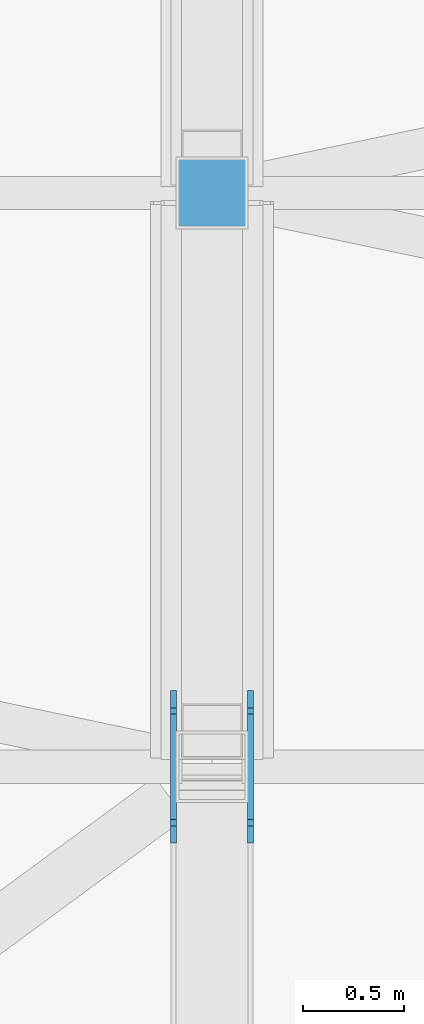
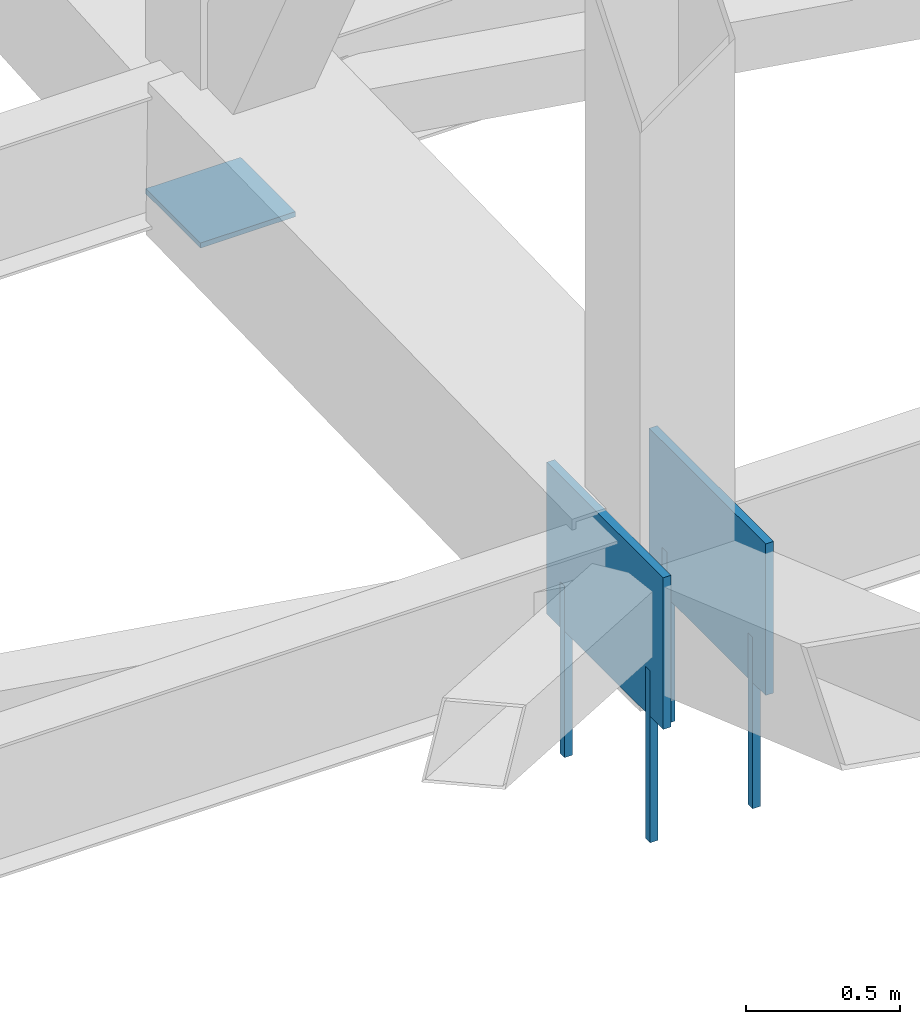
# One storey, part 142 of 278: 4 mechanical fasteners, 3 discrete accessories.
"""IFC4 building model written with IfcOpenShell, lengths in metres."""

from ifc_helpers import new_model, si_unit, direction, frame, origin, origin_2d, place, context, subcontext, project, spatial, rectangle, extrude, material, layer, layer_set, type_object, element, save


model = new_model("IFC4")

# Units and contexts
model_context = context("Model", 3, precision=1e-05, world=origin(), true_north=direction((0.0, 1.0)))
body_context = subcontext(model_context, "Body", "Model", "MODEL_VIEW")
ifc_project = project(units=[si_unit("LENGTHUNIT", "METRE"), si_unit("AREAUNIT", "SQUARE_METRE"), si_unit("VOLUMEUNIT", "CUBIC_METRE"), si_unit("PLANEANGLEUNIT", "RADIAN"), si_unit("MASSUNIT", "GRAM", prefix="KILO")], contexts=[model_context])

# Site, building, storey
site_placement = place(None, origin())
site = spatial("IfcSite", under=ifc_project, at=site_placement, CompositionType="ELEMENT")
building_placement = place(site_placement, origin())
building = spatial("IfcBuilding", under=site, at=building_placement, Name="Ogive Plaza Stadium", CompositionType="ELEMENT")
storey_placement = place(building_placement, frame((0.0, 0.0, 29.0)))
storey = spatial("IfcBuildingStorey", under=building, at=storey_placement, Name="Roof", CompositionType="ELEMENT", Elevation=29.0)

# Mechanical fasteners
ifc_material_1 = material(Name="Steel ASTM A992 Grade 50", Category="steel")
mechanical_fastener_type = type_object("IfcMechanicalFastenerType", Name="Anchor bolt M30 x 600", PredefinedType="ANCHORBOLT", material=ifc_material_1)
for number, where, z_axis, x_axis, name in (
    (1, (20.591796875, -92.77783203125, -0.5), (0.0, 0.0, 1.0), (0.0, -1.0, 0.0), "ANCHOR BOLT 13 BP 1.1"),
    (2, (20.591796875, -92.22216796875, -0.5), (0.0, 0.0, 1.0), (0.0, -1.0, 0.0), "ANCHOR BOLT 13 BP 1.2"),
    (3, (20.208251953125, -92.77783203125, -0.5), (0.0, 0.0, 1.0), (0.0, -1.0, 0.0), "ANCHOR BOLT 13 BP 2.1"),
    (4, (20.208251953125, -92.22216796875, -0.5), (0.0, 0.0, 1.0), (0.0, -1.0, 0.0), "ANCHOR BOLT 13 BP 2.2"),
):
    element("IfcMechanicalFastener", number, at=place(storey_placement, frame(where, z_axis=z_axis, x_axis=x_axis)), inside=storey, type_object=mechanical_fastener_type, Name=name, PredefinedType="ANCHORBOLT", context=body_context, shape_type="SweptSolid", body=[
        extrude(rectangle(XDim=0.030029296875, YDim=0.030029296875, at=origin_2d()), origin(), (0.0, 0.0, 1.0), 0.679931640625),
    ])

# Discrete accessories
ifc_material_2 = material(Name="Steel ASTM A992 Grade 50", Category="steel")
ifc_layer_1 = layer(ifc_material_2, 0.02001953125)
ifc_layer_set_1 = layer_set([ifc_layer_1], Name="Steel ASTM A992 Grade 50")
discrete_accessory_type_1 = type_object("IfcDiscreteAccessoryType", Name="Roof truss post cap plate 20", PredefinedType="ANCHORPLATE", material=ifc_layer_set_1)
discrete_accessory_placement = place(storey_placement, frame((20.39990234375, -89.64990234375, 0.04541015625), z_axis=(0.0, 0.0, 1.0), x_axis=(0.0, -1.0, 0.0)))
element("IfcDiscreteAccessory", 5, at=discrete_accessory_placement, inside=storey, type_object=discrete_accessory_type_1, Name="ROOF TRUSS POST CAP PLATE 13 10", PredefinedType="ANCHORPLATE", context=body_context, shape_type="SweptSolid", body=[
    extrude(rectangle(XDim=0.355712890625, YDim=0.355712890625, at=origin_2d()), origin(), (0.0, 0.0, 1.0), 0.02001953125),
])
ifc_material_3 = material(Name="Steel ASTM A992 Grade 50", Category="steel")
ifc_layer_2 = layer(ifc_material_3, 0.030029296875)
ifc_layer_set_2 = layer_set([ifc_layer_2], Name="Steel ASTM A992 Grade 50")
discrete_accessory_type_2 = type_object("IfcDiscreteAccessoryType", Name="Truss root foot cleat plate 30", PredefinedType="ANCHORPLATE", material=ifc_layer_set_2)
for number, where, z_axis, x_axis, name in (
    (6, (20.591796875, -92.5, 0.0), (0.0, 0.0, 1.0), (0.0, -1.0, 0.0), "TRUSS ROOT FOOT CLEAT PLATE 13 1"),
    (7, (20.208251953125, -92.5, 0.0), (0.0, 0.0, 1.0), (0.0, -1.0, 0.0), "TRUSS ROOT FOOT CLEAT PLATE 13 2"),
):
    element("IfcDiscreteAccessory", number, at=place(storey_placement, frame(where, z_axis=z_axis, x_axis=x_axis)), inside=storey, type_object=discrete_accessory_type_2, Name=name, PredefinedType="ANCHORPLATE", context=body_context, shape_type="SweptSolid", body=[
        extrude(rectangle(XDim=0.755615234375, YDim=0.030029296875, at=origin_2d()), origin(), (0.0, 0.0, 1.0), 0.60009765625),
    ])

save(model, "model.ifc")
